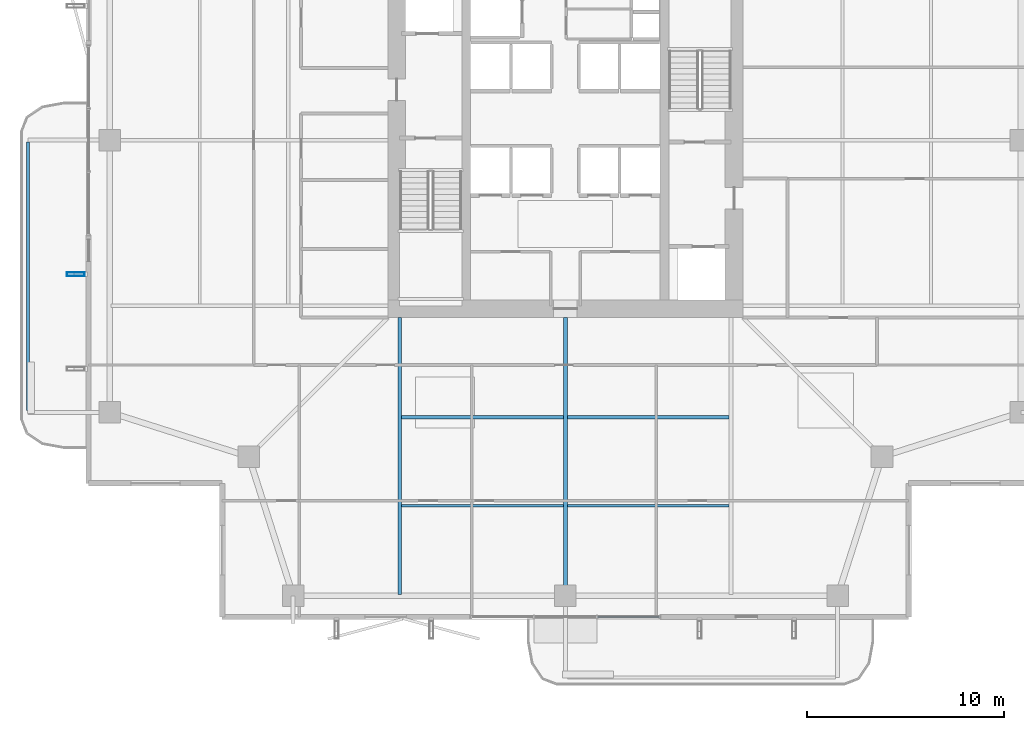
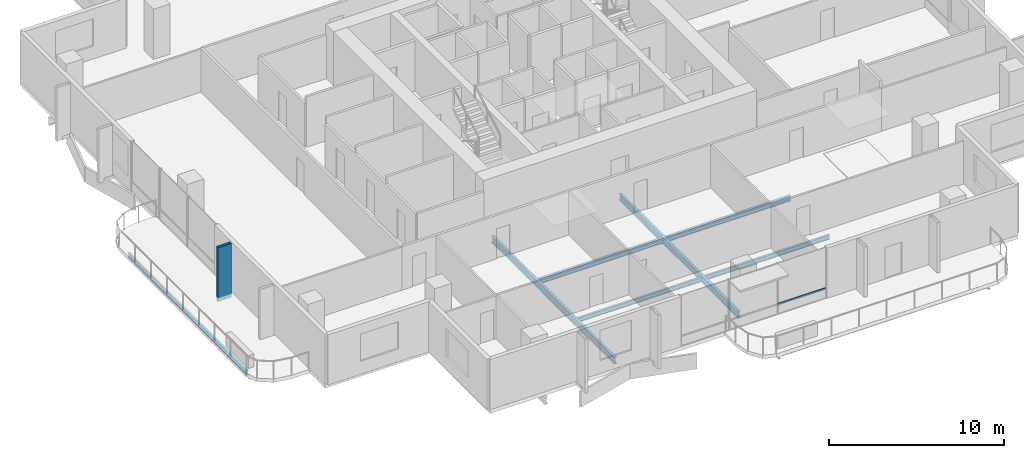
# One storey, part 3 of 25: 7 beams, 2 members, 1 element without a shape of its own.
"""IFC4 building model written with IfcOpenShell, lengths in metres."""

from ifc_helpers import new_model, si_unit, direction, frame, origin, origin_2d, place, context, subcontext, project, spatial, hollow_rectangle, i_section, extrude, material, layer, layer_set, material_profile, profile_set, type_object, element, aggregate, save


model = new_model("IFC4")

# Units and contexts
model_context = context("Model", 3, precision=1e-05, world=origin(), true_north=direction((0.0, 1.0)))
body_context = subcontext(model_context, "Body", "Model", "MODEL_VIEW")
ifc_project = project(units=[si_unit("LENGTHUNIT", "METRE"), si_unit("AREAUNIT", "SQUARE_METRE"), si_unit("VOLUMEUNIT", "CUBIC_METRE"), si_unit("PLANEANGLEUNIT", "RADIAN"), si_unit("MASSUNIT", "GRAM", prefix="KILO")], contexts=[model_context])

# Site, building, storey
site_placement = place(None, origin())
site = spatial("IfcSite", under=ifc_project, at=site_placement, CompositionType="ELEMENT")
building_placement = place(site_placement, origin())
building = spatial("IfcBuilding", under=site, at=building_placement, Name="Belovzor Exchange Tower", CompositionType="ELEMENT")
storey_placement = place(building_placement, frame((0.0, 0.0, 187.050048828125)))
storey = spatial("IfcBuildingStorey", under=building, at=storey_placement, Name="L46", CompositionType="ELEMENT", Elevation=187.050048828125)

# Beams
ifc_material_1 = material(Name="Steel S355", Category="steel")
ifc_material_profile_1 = material_profile(ifc_material_1, i_section(OverallWidth=0.14990234375, OverallDepth=0.300048828125, WebThickness=0.007080078125, FlangeThickness=0.0107421875, at=origin_2d()))
ifc_profile_set_1 = profile_set([ifc_material_profile_1], Name="Steel S355")
beam_type_1 = type_object("IfcBeamType", Name="Planted Balcony Fascia Edge Beam IPE 300", PredefinedType="BEAM", material=ifc_profile_set_1)
beam_1_placement = place(storey_placement, frame((1.547119140625, 28.699951171875, -0.405029296875), z_axis=(0.0, -1.0, 0.0), x_axis=(1.0, 0.0, 0.0)))
element("IfcBeam", 1, at=beam_1_placement, inside=storey, type_object=beam_type_1, Name="BC-300 Planted Balcony Fascia Edge Beam IPE 300", PredefinedType="BEAM", context=body_context, shape_type="SweptSolid", body=[
    extrude(i_section(OverallWidth=0.14990234375, OverallDepth=0.300048828125, WebThickness=0.007080078125, FlangeThickness=0.0107421875, at=origin_2d()), origin(), (0.0, 0.0, 1.0), 13.599853515625),
])
ifc_material_2 = material(Name="Steel S355", Category="steel")
ifc_material_profile_2 = material_profile(ifc_material_2, i_section(OverallWidth=0.169921875, OverallDepth=0.360107421875, WebThickness=0.008056640625, FlangeThickness=0.0126953125, at=origin_2d()))
ifc_profile_set_2 = profile_set([ifc_material_profile_2], Name="Steel S355")
beam_type_2 = type_object("IfcBeamType", Name="Secondary Infill Floor Joist IPE 360", PredefinedType="BEAM", material=ifc_profile_set_2)
for number, where, z_axis, x_axis, name in (
    (2, (20.4951171875, 14.7509765625, -0.43505859375), (1.0, 0.0, 0.0), (0.0, 1.0, 0.0), "FJ-360 Secondary Infill Floor Joist IPE 360"),
    (3, (28.89501953125, 14.7509765625, -0.43505859375), (1.0, 0.0, 0.0), (0.0, 1.0, 0.0), "FJ-360 Secondary Infill Floor Joist IPE 360"),
):
    element("IfcBeam", number, at=place(storey_placement, frame(where, z_axis=z_axis, x_axis=x_axis)), inside=storey, type_object=beam_type_2, Name=name, PredefinedType="BEAM", context=body_context, shape_type="SweptSolid", body=[
        extrude(i_section(OverallWidth=0.169921875, OverallDepth=0.360107421875, WebThickness=0.008056640625, FlangeThickness=0.0126953125, at=origin_2d()), origin(), (0.0, 0.0, 1.0), 8.2099609375),
    ])
ifc_material_3 = material(Name="Steel S355", Category="steel")
ifc_material_profile_3 = material_profile(ifc_material_3, i_section(OverallWidth=0.14990234375, OverallDepth=0.300048828125, WebThickness=0.007080078125, FlangeThickness=0.0107421875, at=origin_2d()))
ifc_profile_set_3 = profile_set([ifc_material_profile_3], Name="Steel S355")
beam_type_3 = type_object("IfcBeamType", Name="Secondary Trim Floor Joist IPE 300", PredefinedType="BEAM", material=ifc_profile_set_3)
for number, where, z_axis, x_axis, name in (
    (4, (20.4951171875, 10.262939453125, -0.405029296875), (1.0, 0.0, 0.0), (0.0, 1.0, 0.0), "FJ-300 Secondary Trim Floor Joist IPE 300"),
    (5, (28.89501953125, 10.262939453125, -0.405029296875), (1.0, 0.0, 0.0), (0.0, 1.0, 0.0), "FJ-300 Secondary Trim Floor Joist IPE 300"),
):
    element("IfcBeam", number, at=place(storey_placement, frame(where, z_axis=z_axis, x_axis=x_axis)), inside=storey, type_object=beam_type_3, Name=name, PredefinedType="BEAM", context=body_context, shape_type="SweptSolid", body=[
        extrude(i_section(OverallWidth=0.14990234375, OverallDepth=0.300048828125, WebThickness=0.007080078125, FlangeThickness=0.0107421875, at=origin_2d()), origin(), (0.0, 0.0, 1.0), 8.2099609375),
    ])

# Member
ifc_material_4 = material(Name="Extruded Architectural Terracotta on Steel S355 Carrier", Category="masonry")
ifc_material_profile_4 = material_profile(ifc_material_4, hollow_rectangle(XDim=0.199951171875, YDim=0.89990234375, WallThickness=0.011962890625, at=origin_2d()))
ifc_profile_set_4 = profile_set([ifc_material_profile_4], Name="Extruded Architectural Terracotta on Steel S355 Carrier")
member_type_1 = type_object("IfcMemberType", Name="Sweeping Terracotta Baguette Fin Assembly 1250", PredefinedType="USERDEFINED", material=ifc_profile_set_4)
member_1_placement = place(storey_placement, frame((3.97509765625, 22.0, -0.255126953125), z_axis=(0.0, 0.0, 1.0), x_axis=(0.0, 1.0, 0.0)))
element("IfcMember", 6, at=member_1_placement, inside=storey, type_object=member_type_1, Name="FIN-TC125 Terracotta Facade Fin L46 W2", ObjectType="FIN", PredefinedType="USERDEFINED", context=body_context, shape_type="SweptSolid", body=[
    extrude(hollow_rectangle(XDim=0.199951171875, YDim=0.89990234375, WallThickness=0.011962890625, at=origin_2d()), origin(), (0.0, 0.0, 1.0), 3.75),
])

# Curtain wall, member
ifc_material_5 = material(Name="Anodised Aluminium Framing", Category="aluminium")
ifc_layer = layer(ifc_material_5, 0.179931640625)
ifc_layer_set = layer_set([ifc_layer], Name="Anodised Aluminium Framing")
curtain_wall_type = type_object("IfcCurtainWallType", Name="Recessed Loggia Low-Iron Triple-Glazed Curtain Wall", PredefinedType="NOTDEFINED", material=ifc_layer_set)
curtain_wall_placement = place(storey_placement, origin())
curtain_wall = element("IfcCurtainWall", 7, at=curtain_wall_placement, inside=storey, type_object=curtain_wall_type, Name="CW3 Recessed Loggia Low-Iron Triple-Glazed Curtain Wall L46", PredefinedType="NOTDEFINED")
ifc_material_6 = material(Name="Steel S355", Category="steel")
ifc_material_profile_5 = material_profile(ifc_material_6, hollow_rectangle(XDim=0.06005859375, YDim=0.14990234375, WallThickness=0.00390625, at=origin_2d()))
ifc_profile_set_5 = profile_set([ifc_material_profile_5], Name="Steel S355")
member_type_2 = type_object("IfcMemberType", Name="Thermally Broken Curtain Wall Transom 150x60", PredefinedType="USERDEFINED", material=ifc_profile_set_5)
member_2_placement = place(storey_placement, frame((33.592041015625, 4.6298828125, 0.62890625), z_axis=(-1.0, 0.0, 0.0), x_axis=(0.0, -1.0, 0.0)))
member_2 = element("IfcMember", 8, at=member_2_placement, type_object=member_type_2, Name="CW-T150 Curtain Wall Transom 1", ObjectType="TRANSOM", PredefinedType="USERDEFINED", context=body_context, shape_type="SweptSolid", body=[
    extrude(hollow_rectangle(XDim=0.06005859375, YDim=0.14990234375, WallThickness=0.00390625, at=origin_2d()), origin(), (0.0, 0.0, 1.0), 3.18408203125),
])
aggregate(curtain_wall, [member_2])

# Beams
ifc_material_7 = material(Name="Steel S355", Category="steel")
ifc_material_profile_6 = material_profile(ifc_material_7, i_section(OverallWidth=0.18994140625, OverallDepth=0.449951171875, WebThickness=0.009521484375, FlangeThickness=0.0146484375, at=origin_2d()))
ifc_profile_set_6 = profile_set([ifc_material_profile_6], Name="Steel S355")
beam_type_4 = type_object("IfcBeamType", Name="Zone 2-4 Radial Composite Floor Beam IPE 450", PredefinedType="BEAM", material=ifc_profile_set_6)
beam_2_placement = place(storey_placement, frame((20.39990234375, 19.800048828125, -0.47998046875), z_axis=(0.0, -1.0, 0.0), x_axis=(1.0, 0.0, 0.0)))
element("IfcBeam", 9, at=beam_2_placement, inside=storey, type_object=beam_type_4, Name="FB-450 Zone 2-4 Radial Composite Floor Beam IPE 450", PredefinedType="BEAM", context=body_context, shape_type="SweptSolid", body=[
    extrude(i_section(OverallWidth=0.18994140625, OverallDepth=0.449951171875, WebThickness=0.009521484375, FlangeThickness=0.0146484375, at=origin_2d()), origin(), (0.0, 0.0, 1.0), 14.025146484375),
])
beam_3_placement = place(storey_placement, frame((28.800048828125, 19.800048828125, -0.47998046875), z_axis=(0.0, -1.0, 0.0), x_axis=(1.0, 0.0, 0.0)))
element("IfcBeam", 10, at=beam_3_placement, inside=storey, type_object=beam_type_4, Name="FB-450 Zone 2-4 Radial Composite Floor Beam IPE 450", PredefinedType="BEAM", context=body_context, shape_type="SweptSolid", body=[
    extrude(i_section(OverallWidth=0.18994140625, OverallDepth=0.449951171875, WebThickness=0.009521484375, FlangeThickness=0.0146484375, at=origin_2d()), origin(), (0.0, 0.0, 1.0), 13.615966796875),
])

save(model, "model.ifc")
